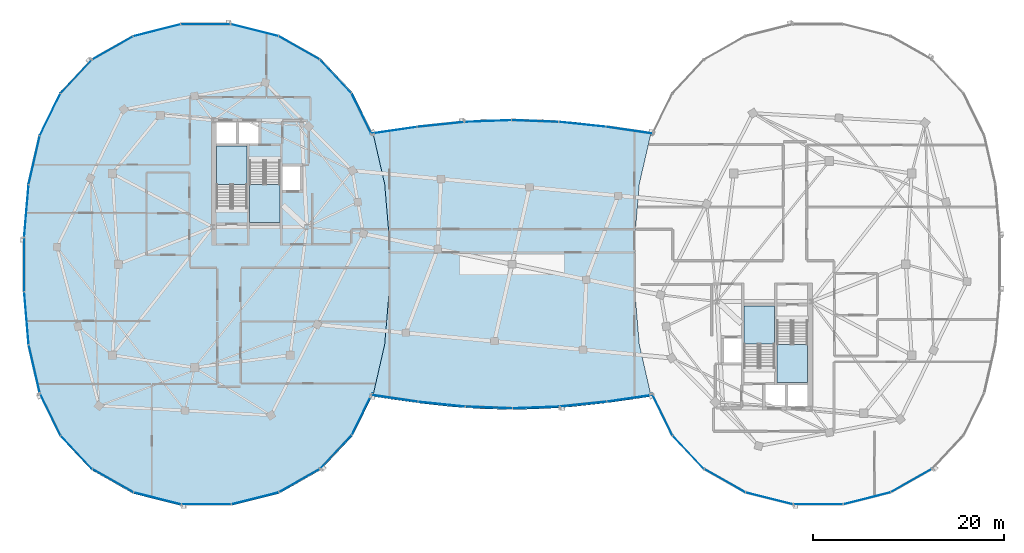
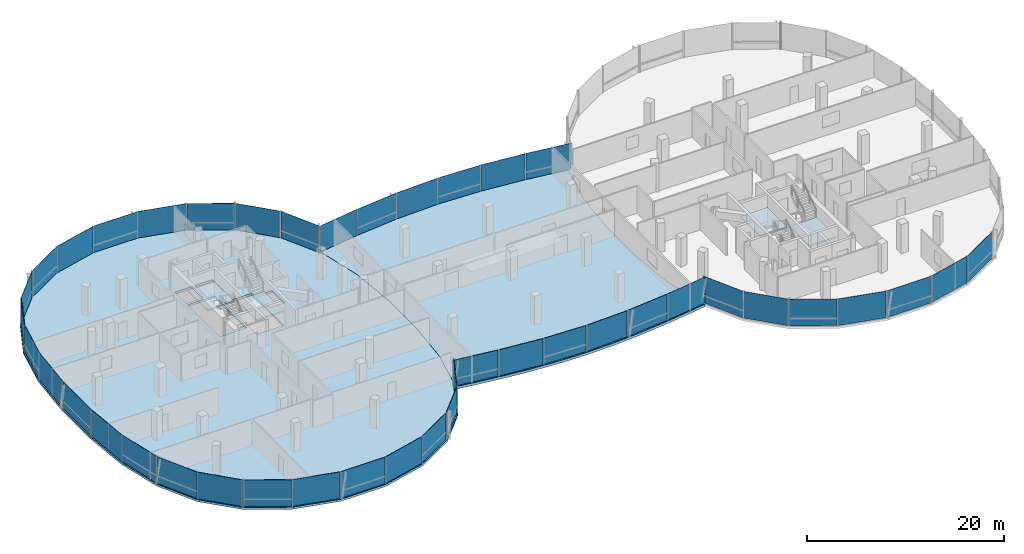
# One storey, part 12 of 26: 42 plates, 6 slabs, 11 elements without a shape of their own.
"""IFC4 building model written with IfcOpenShell, lengths in metres."""

import ifcopenshell
import ifcopenshell.guid

model = None  # the IFC model being written
_history = None  # IfcOwnerHistory: only IFC2X3 demands one
_inside = {}  # id of a spatial element -> (the spatial element, [elements in it])
_under = {}  # id of a project, library or spatial element -> (it, [spatial elements below it])
_declared = {}  # id of a project -> (the project, [libraries it declares])
_typed = {}  # id of a type object -> (the type object, [elements of that type])
_made_of = {}  # id of a material, layer set ... -> (it, [elements and type objects made of it])


def new_model(schema):
    """Start an empty IFC model of exactly this schema.

    Asked for "IFC4X3", IfcOpenShell would pick the latest addendum, in which some entities
    have other attributes; the version numbers below select the first issue.
    IFC2X3 requires an IfcOwnerHistory on every rooted entity: one is made here for all.
    """
    global model, _history
    if schema == "IFC4X3":
        model = ifcopenshell.file(schema_version=(4, 3, 0, 0))
    else:
        model = ifcopenshell.file(schema=schema)
    _inside.clear()
    _under.clear()
    _declared.clear()
    _typed.clear()
    _made_of.clear()
    _history = None
    if model.schema == "IFC2X3":
        org = make("IfcOrganization", Name="unknown")
        user = make(
            "IfcPersonAndOrganization",
            ThePerson=make("IfcPerson", FamilyName="unknown"),
            TheOrganization=org,
        )
        app = make(
            "IfcApplication",
            ApplicationDeveloper=org,
            Version="unknown",
            ApplicationFullName="unknown",
            ApplicationIdentifier="unknown",
        )
        _history = make(
            "IfcOwnerHistory",
            OwningUser=user,
            OwningApplication=app,
            ChangeAction="ADDED",
            CreationDate=0,
        )
    return model


def make(cls, **values):
    """One entity of the class cls with the attributes given. An attribute that is None is left unset."""
    return model.create_entity(
        cls, **{name: value for name, value in values.items() if value is not None}
    )


def rooted(cls, **values):
    """An entity with a GlobalId (a new one), such as an element, a storey or a relation."""
    return make(cls, GlobalId=ifcopenshell.guid.new(), OwnerHistory=_history, **values)


def si_unit(unit_type, name, prefix=None):
    """IfcSIUnit, for example si_unit("LENGTHUNIT", "METRE", prefix="MILLI")."""
    return make("IfcSIUnit", UnitType=unit_type, Prefix=prefix, Name=name)


def assignment(units):
    """IfcUnitAssignment: the units of a project."""
    return None if units is None else make("IfcUnitAssignment", Units=units)


def point(xyz):
    """IfcCartesianPoint."""
    return None if xyz is None else make("IfcCartesianPoint", Coordinates=xyz)


def direction(xyz):
    """IfcDirection."""
    return None if xyz is None else make("IfcDirection", DirectionRatios=xyz)


def frame(location, z_axis=None, x_axis=None):
    """IfcAxis2Placement3D, a coordinate frame: its origin and axes. An axis left out is left unset."""
    return make(
        "IfcAxis2Placement3D",
        Location=point(location),
        Axis=direction(z_axis),
        RefDirection=direction(x_axis),
    )


def frame_2d(location, x_axis=None):
    """IfcAxis2Placement2D, a coordinate frame in the plane: its origin and x axis."""
    return make(
        "IfcAxis2Placement2D", Location=point(location), RefDirection=direction(x_axis)
    )


def origin():
    """The frame at (0, 0, 0) with its axes left unset."""
    return frame((0.0, 0.0, 0.0))


def origin_2d():
    """The frame at (0, 0) in the plane with its x axis left unset."""
    return frame_2d((0.0, 0.0))


def place(relative_to, where):
    """IfcLocalPlacement: puts the frame where relative to a parent placement (None: the world)."""
    return make(
        "IfcLocalPlacement", PlacementRelTo=relative_to, RelativePlacement=where
    )


def context(
    kind, dimensions, precision=None, world=None, true_north=None, identifier=None
):
    """IfcGeometricRepresentationContext, for example the 3D "Model" context."""
    return make(
        "IfcGeometricRepresentationContext",
        ContextIdentifier=identifier,
        ContextType=kind,
        CoordinateSpaceDimension=dimensions,
        Precision=precision,
        WorldCoordinateSystem=world,
        TrueNorth=true_north,
    )


def subcontext(parent, identifier, kind, view, scale=None):
    """IfcGeometricRepresentationSubContext, for example "Body" below "Model"."""
    return make(
        "IfcGeometricRepresentationSubContext",
        ContextIdentifier=identifier,
        ContextType=kind,
        ParentContext=parent,
        TargetScale=scale,
        TargetView=view,
    )


def project(units=None, contexts=None):
    """IfcProject with its units and contexts."""
    return rooted(
        "IfcProject",
        Name="project",
        RepresentationContexts=contexts,
        UnitsInContext=assignment(units),
    )


def spatial(cls, under=None, at=None, **own):
    """A site, building, storey or space (cls), placed at a placement, below another one or the project."""
    s = rooted(cls, ObjectPlacement=at, **own)
    if under is not None:
        _under.setdefault(under.id(), (under, []))[1].append(s)
    return s


def polyline(points):
    """IfcPolyline through the points."""
    return make("IfcPolyline", Points=[point(p) for p in points])


def profile(cls, at=None, kind="AREA", **sizes):
    """A parametric profile (cls). Its sizes go by their IFC names, for example OverallWidth=200.0."""
    return make(cls, ProfileType=kind, Position=at, **sizes)


def rectangle(**sizes):
    """IfcRectangleProfileDef."""
    return profile("IfcRectangleProfileDef", **sizes)


def outline(outer, holes=None, kind="AREA"):
    """IfcArbitraryClosedProfileDef: a profile drawn as a closed curve; with holes, ...WithVoids."""
    if holes is None:
        return make("IfcArbitraryClosedProfileDef", ProfileType=kind, OuterCurve=outer)
    return make(
        "IfcArbitraryProfileDefWithVoids",
        ProfileType=kind,
        OuterCurve=outer,
        InnerCurves=holes,
    )


def extrude(swept, where, along, depth):
    """IfcExtrudedAreaSolid: the profile swept, set in the frame where, extruded along a direction by depth."""
    return make(
        "IfcExtrudedAreaSolid",
        SweptArea=swept,
        Position=where,
        ExtrudedDirection=direction(along),
        Depth=depth,
    )


def shape(context_of_items, identifier, shape_type, items):
    """IfcShapeRepresentation: the items that make up one representation, for example the "Body"."""
    return make(
        "IfcShapeRepresentation",
        ContextOfItems=context_of_items,
        RepresentationIdentifier=identifier,
        RepresentationType=shape_type,
        Items=items,
    )


def material(Name=None, Category=None):
    """IfcMaterial."""
    return make("IfcMaterial", Name=Name, Category=Category)


def layer(
    of_material, thickness, ventilated=None, Name=None, Category=None, Priority=None
):
    """IfcMaterialLayer: one layer of a wall or slab, of a material (None: an air gap)."""
    return make(
        "IfcMaterialLayer",
        Material=of_material,
        LayerThickness=thickness,
        IsVentilated=ventilated,
        Name=Name,
        Category=Category,
        Priority=Priority,
    )


def layer_set(layers, Name=None):
    """IfcMaterialLayerSet."""
    return make("IfcMaterialLayerSet", MaterialLayers=layers, LayerSetName=Name)


def made_of(thing, what):
    """Note that an element or type object is made of a material, layer set ...; save() writes the relation."""
    if what is not None:
        _made_of.setdefault(what.id(), (what, []))[1].append(thing)
    return thing


def type_object(cls, material=None, **own):
    """A type object (cls), such as IfcWallType, which elements share."""
    return made_of(rooted(cls, **own), material)


def element(
    cls,
    number,
    at=None,
    inside=None,
    cuts=None,
    type_object=None,
    material=None,
    context=None,
    identifier="Body",
    shape_type=None,
    held_by="IfcProductDefinitionShape",
    body=None,
    shapes=None,
    **own,
):
    """One element of the class cls, such as IfcWall. Its Tag is "e" and its number.

    at: its placement. inside: the storey or other place that contains it. cuts: it is an
    opening in that element (IfcRelVoidsElement). A single representation is given by context,
    identifier, shape_type and body (its items); several are given by shapes. held_by: the class
    of the entity that holds the representations. save() writes the other relations.
    """
    e = rooted(cls, Tag="e%d" % number, ObjectPlacement=at, **own)
    if body is not None:
        shapes = [shape(context, identifier, shape_type, body)]
    if shapes is not None:
        e.Representation = make(held_by, Representations=shapes)
    if inside is not None:
        _inside.setdefault(inside.id(), (inside, []))[1].append(e)
    if cuts is not None:
        rooted(
            "IfcRelVoidsElement", RelatingBuildingElement=cuts, RelatedOpeningElement=e
        )
    if type_object is not None:
        _typed.setdefault(type_object.id(), (type_object, []))[1].append(e)
    return made_of(e, material)


def aggregate(whole, parts):
    """IfcRelAggregates: a whole, such as a stair, and the parts it consists of."""
    return rooted("IfcRelAggregates", RelatingObject=whole, RelatedObjects=parts)


def save(model, path):
    """Write the relations noted so far, then the file.

    IfcRelAggregates (storeys below a building ...), IfcRelContainedInSpatialStructure (elements
    in a storey), IfcRelDefinesByType, IfcRelAssociatesMaterial and IfcRelDeclares: one each for
    every whole, place, type object, material and project.
    """
    for whole, parts in _under.values():
        aggregate(whole, parts)
    for where, things in _inside.values():
        rooted(
            "IfcRelContainedInSpatialStructure",
            RelatedElements=things,
            RelatingStructure=where,
        )
    for kind, things in _typed.values():
        rooted("IfcRelDefinesByType", RelatedObjects=things, RelatingType=kind)
    for what, things in _made_of.values():
        rooted("IfcRelAssociatesMaterial", RelatedObjects=things, RelatingMaterial=what)
    for by, libraries in _declared.values():
        rooted("IfcRelDeclares", RelatingContext=by, RelatedDefinitions=libraries)
    model.write(path)


model = new_model("IFC4")

# Units and contexts
model_context = context("Model", 3, precision=1e-05, world=origin(), true_north=direction((0.0, 1.0)))
body_context = subcontext(model_context, "Body", "Model", "MODEL_VIEW")
ifc_project = project(units=[si_unit("LENGTHUNIT", "METRE"), si_unit("AREAUNIT", "SQUARE_METRE"), si_unit("VOLUMEUNIT", "CUBIC_METRE"), si_unit("PLANEANGLEUNIT", "RADIAN"), si_unit("MASSUNIT", "GRAM", prefix="KILO"), si_unit("THERMODYNAMICTEMPERATUREUNIT", "KELVIN"), si_unit("POWERUNIT", "WATT")], contexts=[model_context])

# Site, building, storey
site_placement = place(None, origin())
site = spatial("IfcSite", under=ifc_project, at=site_placement, CompositionType="ELEMENT")
building_placement = place(site_placement, origin())
building = spatial("IfcBuilding", under=site, at=building_placement, Name="Cundina Bronze Exchange", CompositionType="ELEMENT")
storey_placement = place(building_placement, frame((0.0, 0.0, 243.199951171875)))
storey = spatial("IfcBuildingStorey", under=building, at=storey_placement, Name="L64", CompositionType="ELEMENT", Elevation=243.199951171875)

# Curtain wall, plates
ifc_material_1 = material(Name="Anodised Bronze Aluminium 6063-T6", Category="aluminium")
curtain_wall_type = type_object("IfcCurtainWallType", Name="CWS-SKG-BRG", PredefinedType="NOTDEFINED", material=ifc_material_1)
curtain_wall_1_placement = place(storey_placement, origin())
curtain_wall_1 = element("IfcCurtainWall", 1, at=curtain_wall_1_placement, inside=storey, type_object=curtain_wall_type, Name="L64 CW-06 Curtain Wall Run CWR-L64-W1", PredefinedType="NOTDEFINED")
ifc_material_2 = material(Name="Heat-Strengthened Solar-Control Bronze Safety Glass 28mm", Category="glass")
ifc_layer_1 = layer(ifc_material_2, 0.028076171875, Name="Heat-Strengthened Solar-Control Bronze Safety Glass 28mm", Category="glass")
ifc_layer_set_1 = layer_set([ifc_layer_1], Name="Heat-Strengthened Solar-Control Bronze Safety Glass 28mm")
plate_type_1 = type_object("IfcPlateType", Name="PLT-GLZ-VIS28", PredefinedType="CURTAIN_PANEL", material=ifc_layer_set_1)
plate_1_placement = place(storey_placement, frame((-18.431884765625, 19.64501953125, 0.02001953125), z_axis=(0.0, 0.0, 1.0), x_axis=(-0.684343512797, 0.72915976061, 0.0)))
plate_1 = element("IfcPlate", 2, at=plate_1_placement, type_object=plate_type_1, Name="CW-06 Glazed Panel 2", PredefinedType="CURTAIN_PANEL", context=body_context, shape_type="SweptSolid", body=[
    extrude(rectangle(XDim=4.773193359375, YDim=0.028076171875, at=origin_2d()), origin(), (0.0, 0.0, 1.0), 3.300048828125),
])
plate_2_placement = place(storey_placement, frame((-22.23828125, 22.6279296875, 0.02001953125), z_axis=(0.0, 0.0, 1.0), x_axis=(-0.869572506985, 0.493805280547, 0.0)))
plate_2 = element("IfcPlate", 3, at=plate_2_placement, type_object=plate_type_1, Name="CW-06 Glazed Panel 3", PredefinedType="CURTAIN_PANEL", context=body_context, shape_type="SweptSolid", body=[
    extrude(rectangle(XDim=4.907958984375, YDim=0.028076171875, at=origin_2d()), origin(), (0.0, 0.0, 1.0), 3.300048828125),
])
plate_3_placement = place(storey_placement, frame((-26.890625, 24.4814453125, 0.02001953125), z_axis=(0.0, 0.0, 1.0), x_axis=(-0.969731542251, 0.244173577528, 0.0)))
plate_3 = element("IfcPlate", 4, at=plate_3_placement, type_object=plate_type_1, Name="CW-06 Glazed Panel 4", PredefinedType="CURTAIN_PANEL", context=body_context, shape_type="SweptSolid", body=[
    extrude(rectangle(XDim=5.0908203125, YDim=0.028076171875, at=origin_2d()), origin(), (0.0, 0.0, 1.0), 3.300048828125),
])
plate_4_placement = place(storey_placement, frame((-32.0, 25.110107421875, 0.02001953125), z_axis=(0.0, 0.0, 1.0), x_axis=(-1.0, 0.0, 0.0)))
plate_4 = element("IfcPlate", 5, at=plate_4_placement, type_object=plate_type_1, Name="CW-06 Glazed Panel 5", PredefinedType="CURTAIN_PANEL", context=body_context, shape_type="SweptSolid", body=[
    extrude(rectangle(XDim=5.16796875, YDim=0.028076171875, at=origin_2d()), origin(), (0.0, 0.0, 1.0), 3.300048828125),
])
plate_5_placement = place(storey_placement, frame((-41.76171875, 22.6279296875, 0.02001953125), z_axis=(0.0, 0.0, 1.0), x_axis=(-0.869572506985, -0.493805280547, 0.0)))
plate_5 = element("IfcPlate", 6, at=plate_5_placement, type_object=plate_type_1, Name="CW-06 Glazed Panel 7", PredefinedType="CURTAIN_PANEL", context=body_context, shape_type="SweptSolid", body=[
    extrude(rectangle(XDim=4.907958984375, YDim=0.028076171875, at=origin_2d()), origin(), (0.0, 0.0, 1.0), 3.300048828125),
])

curtain_wall_2_placement = place(storey_placement, origin())
curtain_wall_2 = element("IfcCurtainWall", 7, at=curtain_wall_2_placement, inside=storey, type_object=curtain_wall_type, Name="L64 CW-06 Curtain Wall Run CWR-L64-W2", PredefinedType="NOTDEFINED")
plate_6_placement = place(storey_placement, frame((-45.568115234375, 19.64501953125, 0.02001953125), z_axis=(0.0, 0.0, 1.0), x_axis=(-0.684343512797, -0.72915976061, 0.0)))
plate_6 = element("IfcPlate", 8, at=plate_6_placement, type_object=plate_type_1, Name="CW-06 Glazed Panel 1", PredefinedType="CURTAIN_PANEL", context=body_context, shape_type="SweptSolid", body=[
    extrude(rectangle(XDim=4.773193359375, YDim=0.028076171875, at=origin_2d()), origin(), (0.0, 0.0, 1.0), 3.300048828125),
])
plate_7_placement = place(storey_placement, frame((-48.30126953125, 15.68017578125, 0.02001953125), z_axis=(0.0, 0.0, 1.0), x_axis=(-0.440503330345, -0.897750976582, 0.0)))
plate_7 = element("IfcPlate", 9, at=plate_7_placement, type_object=plate_type_1, Name="CW-06 Glazed Panel 2", PredefinedType="CURTAIN_PANEL", context=body_context, shape_type="SweptSolid", body=[
    extrude(rectangle(XDim=4.863525390625, YDim=0.028076171875, at=origin_2d()), origin(), (0.0, 0.0, 1.0), 3.300048828125),
])
plate_8_placement = place(storey_placement, frame((-49.96923828125, 10.922607421875, 0.02001953125), z_axis=(0.0, 0.0, 1.0), x_axis=(-0.223284141459, -0.974753400698, 0.0)))
plate_8 = element("IfcPlate", 10, at=plate_8_placement, type_object=plate_type_1, Name="CW-06 Glazed Panel 3", PredefinedType="CURTAIN_PANEL", context=body_context, shape_type="SweptSolid", body=[
    extrude(rectangle(XDim=5.167724609375, YDim=0.028076171875, at=origin_2d()), origin(), (0.0, 0.0, 1.0), 3.300048828125),
])
plate_9_placement = place(storey_placement, frame((-50.78662109375, 5.605712890625, 0.02001953125), z_axis=(0.0, 0.0, 1.0), x_axis=(-0.083747411454, -0.996487015006, 0.0)))
plate_9 = element("IfcPlate", 11, at=plate_9_placement, type_object=plate_type_1, Name="CW-06 Glazed Panel 4", PredefinedType="CURTAIN_PANEL", context=body_context, shape_type="SweptSolid", body=[
    extrude(rectangle(XDim=5.474609375, YDim=0.028076171875, at=origin_2d()), origin(), (0.0, 0.0, 1.0), 3.300048828125),
])
plate_10_placement = place(storey_placement, frame((-50.78662109375, -5.605712890625, 0.02001953125), z_axis=(0.0, 0.0, 1.0), x_axis=(0.083747411454, -0.996487015006, 0.0)))
plate_10 = element("IfcPlate", 12, at=plate_10_placement, type_object=plate_type_1, Name="CW-06 Glazed Panel 6", PredefinedType="CURTAIN_PANEL", context=body_context, shape_type="SweptSolid", body=[
    extrude(rectangle(XDim=5.474609375, YDim=0.028076171875, at=origin_2d()), origin(), (0.0, 0.0, 1.0), 3.300048828125),
])
plate_11_placement = place(storey_placement, frame((-49.96923828125, -10.922607421875, 0.02001953125), z_axis=(0.0, 0.0, 1.0), x_axis=(0.223284141459, -0.974753400698, 0.0)))
plate_11 = element("IfcPlate", 13, at=plate_11_placement, type_object=plate_type_1, Name="CW-06 Glazed Panel 7", PredefinedType="CURTAIN_PANEL", context=body_context, shape_type="SweptSolid", body=[
    extrude(rectangle(XDim=5.167724609375, YDim=0.028076171875, at=origin_2d()), origin(), (0.0, 0.0, 1.0), 3.300048828125),
])

curtain_wall_3_placement = place(storey_placement, origin())
curtain_wall_3 = element("IfcCurtainWall", 14, at=curtain_wall_3_placement, inside=storey, type_object=curtain_wall_type, Name="L64 CW-06 Curtain Wall Run CWR-L64-W3", PredefinedType="NOTDEFINED")
plate_12_placement = place(storey_placement, frame((-48.30126953125, -15.68017578125, 0.02001953125), z_axis=(0.0, 0.0, 1.0), x_axis=(0.440503330345, -0.897750976582, 0.0)))
plate_12 = element("IfcPlate", 15, at=plate_12_placement, type_object=plate_type_1, Name="CW-06 Glazed Panel 1", PredefinedType="CURTAIN_PANEL", context=body_context, shape_type="SweptSolid", body=[
    extrude(rectangle(XDim=4.863525390625, YDim=0.028076171875, at=origin_2d()), origin(), (0.0, 0.0, 1.0), 3.300048828125),
])
plate_13_placement = place(storey_placement, frame((-45.568115234375, -19.64501953125, 0.02001953125), z_axis=(0.0, 0.0, 1.0), x_axis=(0.684343512797, -0.72915976061, 0.0)))
plate_13 = element("IfcPlate", 16, at=plate_13_placement, type_object=plate_type_1, Name="CW-06 Glazed Panel 2", PredefinedType="CURTAIN_PANEL", context=body_context, shape_type="SweptSolid", body=[
    extrude(rectangle(XDim=4.773193359375, YDim=0.028076171875, at=origin_2d()), origin(), (0.0, 0.0, 1.0), 3.300048828125),
])
plate_14_placement = place(storey_placement, frame((-41.76171875, -22.6279296875, 0.02001953125), z_axis=(0.0, 0.0, 1.0), x_axis=(0.869572506985, -0.493805280547, 0.0)))
plate_14 = element("IfcPlate", 17, at=plate_14_placement, type_object=plate_type_1, Name="CW-06 Glazed Panel 3", PredefinedType="CURTAIN_PANEL", context=body_context, shape_type="SweptSolid", body=[
    extrude(rectangle(XDim=4.907958984375, YDim=0.028076171875, at=origin_2d()), origin(), (0.0, 0.0, 1.0), 3.300048828125),
])
plate_15_placement = place(storey_placement, frame((-32.0, -25.110107421875, 0.02001953125), z_axis=(0.0, 0.0, 1.0), x_axis=(1.0, 0.0, 0.0)))
plate_15 = element("IfcPlate", 18, at=plate_15_placement, type_object=plate_type_1, Name="CW-06 Glazed Panel 5", PredefinedType="CURTAIN_PANEL", context=body_context, shape_type="SweptSolid", body=[
    extrude(rectangle(XDim=5.16796875, YDim=0.028076171875, at=origin_2d()), origin(), (0.0, 0.0, 1.0), 3.300048828125),
])
plate_16_placement = place(storey_placement, frame((-26.890625, -24.4814453125, 0.02001953125), z_axis=(0.0, 0.0, 1.0), x_axis=(0.969731542251, 0.244173577528, 0.0)))
plate_16 = element("IfcPlate", 19, at=plate_16_placement, type_object=plate_type_1, Name="CW-06 Glazed Panel 6", PredefinedType="CURTAIN_PANEL", context=body_context, shape_type="SweptSolid", body=[
    extrude(rectangle(XDim=5.0908203125, YDim=0.028076171875, at=origin_2d()), origin(), (0.0, 0.0, 1.0), 3.300048828125),
])
plate_17_placement = place(storey_placement, frame((-22.23828125, -22.6279296875, 0.02001953125), z_axis=(0.0, 0.0, 1.0), x_axis=(0.869572506985, 0.493805280547, 0.0)))
plate_17 = element("IfcPlate", 20, at=plate_17_placement, type_object=plate_type_1, Name="CW-06 Glazed Panel 7", PredefinedType="CURTAIN_PANEL", context=body_context, shape_type="SweptSolid", body=[
    extrude(rectangle(XDim=4.907958984375, YDim=0.028076171875, at=origin_2d()), origin(), (0.0, 0.0, 1.0), 3.300048828125),
])

curtain_wall_4_placement = place(storey_placement, origin())
curtain_wall_4 = element("IfcCurtainWall", 21, at=curtain_wall_4_placement, inside=storey, type_object=curtain_wall_type, Name="L64 CW-06 Curtain Wall Run CWR-L64-W4", PredefinedType="NOTDEFINED")
plate_18_placement = place(storey_placement, frame((-18.431884765625, -19.64501953125, 0.02001953125), z_axis=(0.0, 0.0, 1.0), x_axis=(0.684343512797, 0.72915976061, 0.0)))
plate_18 = element("IfcPlate", 22, at=plate_18_placement, type_object=plate_type_1, Name="CW-06 Glazed Panel 1", PredefinedType="CURTAIN_PANEL", context=body_context, shape_type="SweptSolid", body=[
    extrude(rectangle(XDim=4.773193359375, YDim=0.028076171875, at=origin_2d()), origin(), (0.0, 0.0, 1.0), 3.300048828125),
])
plate_19_placement = place(storey_placement, frame((-15.69873046875, -15.68017578125, 0.02001953125), z_axis=(0.0, 0.0, 1.0), x_axis=(0.440503330345, 0.897750976582, 0.0)))
plate_19 = element("IfcPlate", 23, at=plate_19_placement, type_object=plate_type_1, Name="CW-06 Glazed Panel 2", PredefinedType="CURTAIN_PANEL", context=body_context, shape_type="SweptSolid", body=[
    extrude(rectangle(XDim=4.863525390625, YDim=0.028076171875, at=origin_2d()), origin(), (0.0, 0.0, 1.0), 3.300048828125),
])
aggregate(curtain_wall_4, [plate_18, plate_19])

curtain_wall_5_placement = place(storey_placement, origin())
curtain_wall_5 = element("IfcCurtainWall", 24, at=curtain_wall_5_placement, inside=storey, type_object=curtain_wall_type, Name="L64 CW-06 Curtain Wall Run CWR-L64-E3", PredefinedType="NOTDEFINED")
plate_20_placement = place(storey_placement, frame((15.69873046875, -15.68017578125, 0.02001953125), z_axis=(0.0, 0.0, 1.0), x_axis=(0.440503330345, -0.897750976582, 0.0)))
plate_20 = element("IfcPlate", 25, at=plate_20_placement, type_object=plate_type_1, Name="CW-06 Glazed Panel 1", PredefinedType="CURTAIN_PANEL", context=body_context, shape_type="SweptSolid", body=[
    extrude(rectangle(XDim=4.863525390625, YDim=0.028076171875, at=origin_2d()), origin(), (0.0, 0.0, 1.0), 3.300048828125),
])
plate_21_placement = place(storey_placement, frame((18.431884765625, -19.64501953125, 0.02001953125), z_axis=(0.0, 0.0, 1.0), x_axis=(0.684343512797, -0.72915976061, 0.0)))
plate_21 = element("IfcPlate", 26, at=plate_21_placement, type_object=plate_type_1, Name="CW-06 Glazed Panel 2", PredefinedType="CURTAIN_PANEL", context=body_context, shape_type="SweptSolid", body=[
    extrude(rectangle(XDim=4.773193359375, YDim=0.028076171875, at=origin_2d()), origin(), (0.0, 0.0, 1.0), 3.300048828125),
])
plate_22_placement = place(storey_placement, frame((22.23828125, -22.6279296875, 0.02001953125), z_axis=(0.0, 0.0, 1.0), x_axis=(0.869572506985, -0.493805280547, 0.0)))
plate_22 = element("IfcPlate", 27, at=plate_22_placement, type_object=plate_type_1, Name="CW-06 Glazed Panel 3", PredefinedType="CURTAIN_PANEL", context=body_context, shape_type="SweptSolid", body=[
    extrude(rectangle(XDim=4.907958984375, YDim=0.028076171875, at=origin_2d()), origin(), (0.0, 0.0, 1.0), 3.300048828125),
])
plate_23_placement = place(storey_placement, frame((32.0, -25.110107421875, 0.02001953125), z_axis=(0.0, 0.0, 1.0), x_axis=(1.0, 0.0, 0.0)))
plate_23 = element("IfcPlate", 28, at=plate_23_placement, type_object=plate_type_1, Name="CW-06 Glazed Panel 5", PredefinedType="CURTAIN_PANEL", context=body_context, shape_type="SweptSolid", body=[
    extrude(rectangle(XDim=5.16796875, YDim=0.028076171875, at=origin_2d()), origin(), (0.0, 0.0, 1.0), 3.300048828125),
])
plate_24_placement = place(storey_placement, frame((37.109375, -24.4814453125, 0.02001953125), z_axis=(0.0, 0.0, 1.0), x_axis=(0.969731542251, 0.244173577528, 0.0)))
plate_24 = element("IfcPlate", 29, at=plate_24_placement, type_object=plate_type_1, Name="CW-06 Glazed Panel 6", PredefinedType="CURTAIN_PANEL", context=body_context, shape_type="SweptSolid", body=[
    extrude(rectangle(XDim=5.0908203125, YDim=0.028076171875, at=origin_2d()), origin(), (0.0, 0.0, 1.0), 3.300048828125),
])
plate_25_placement = place(storey_placement, frame((41.76171875, -22.6279296875, 0.02001953125), z_axis=(0.0, 0.0, 1.0), x_axis=(0.869572506985, 0.493805280547, 0.0)))
plate_25 = element("IfcPlate", 30, at=plate_25_placement, type_object=plate_type_1, Name="CW-06 Glazed Panel 7", PredefinedType="CURTAIN_PANEL", context=body_context, shape_type="SweptSolid", body=[
    extrude(rectangle(XDim=4.907958984375, YDim=0.028076171875, at=origin_2d()), origin(), (0.0, 0.0, 1.0), 3.300048828125),
])

curtain_wall_6_placement = place(storey_placement, origin())
curtain_wall_6 = element("IfcCurtainWall", 31, at=curtain_wall_6_placement, inside=storey, type_object=curtain_wall_type, Name="L64 CW-06 Curtain Wall Run CWR-L64-BRGS", PredefinedType="NOTDEFINED")
plate_26_placement = place(storey_placement, frame((-12.356201171875, -14.012451171875, 0.02001953125), z_axis=(0.0, 0.0, 1.0), x_axis=(0.989528308409, -0.144338930496, 0.0)))
plate_26 = element("IfcPlate", 32, at=plate_26_placement, type_object=plate_type_1, Name="CW-06 Glazed Panel 1", PredefinedType="CURTAIN_PANEL", context=body_context, shape_type="SweptSolid", body=[
    extrude(rectangle(XDim=4.912353515625, YDim=0.028076171875, at=origin_2d()), origin(), (0.0, 0.0, 1.0), 3.239990234375),
])
plate_27_placement = place(storey_placement, frame((-2.47021484375, -14.9775390625, 0.02001953125), z_axis=(0.0, 0.0, 1.0), x_axis=(0.999302568116, -0.037341362551, 0.0)))
plate_27 = element("IfcPlate", 33, at=plate_27_placement, type_object=plate_type_1, Name="CW-06 Glazed Panel 3", PredefinedType="CURTAIN_PANEL", context=body_context, shape_type="SweptSolid", body=[
    extrude(rectangle(XDim=4.863525390625, YDim=0.028076171875, at=origin_2d()), origin(), (0.0, 0.0, 1.0), 3.239990234375),
])
plate_28_placement = place(storey_placement, frame((2.47021484375, -14.9775390625, 0.02001953125), z_axis=(0.0, 0.0, 1.0), x_axis=(0.999302568116, 0.037341362551, 0.0)))
plate_28 = element("IfcPlate", 34, at=plate_28_placement, type_object=plate_type_1, Name="CW-06 Glazed Panel 4", PredefinedType="CURTAIN_PANEL", context=body_context, shape_type="SweptSolid", body=[
    extrude(rectangle(XDim=4.863525390625, YDim=0.028076171875, at=origin_2d()), origin(), (0.0, 0.0, 1.0), 3.239990234375),
])
plate_29_placement = place(storey_placement, frame((7.41162109375, -14.629150390625, 0.02001953125), z_axis=(0.0, 0.0, 1.0), x_axis=(0.994672274174, 0.103087666525, 0.0)))
plate_29 = element("IfcPlate", 35, at=plate_29_placement, type_object=plate_type_1, Name="CW-06 Glazed Panel 5", PredefinedType="CURTAIN_PANEL", context=body_context, shape_type="SweptSolid", body=[
    extrude(rectangle(XDim=4.886474609375, YDim=0.028076171875, at=origin_2d()), origin(), (0.0, 0.0, 1.0), 3.239990234375),
])
plate_30_placement = place(storey_placement, frame((12.356201171875, -14.012451171875, 0.02001953125), z_axis=(0.0, 0.0, 1.0), x_axis=(0.989528308409, 0.144338930496, 0.0)))
plate_30 = element("IfcPlate", 36, at=plate_30_placement, type_object=plate_type_1, Name="CW-06 Glazed Panel 6", PredefinedType="CURTAIN_PANEL", context=body_context, shape_type="SweptSolid", body=[
    extrude(rectangle(XDim=4.912353515625, YDim=0.028076171875, at=origin_2d()), origin(), (0.0, 0.0, 1.0), 3.239990234375),
])

curtain_wall_7_placement = place(storey_placement, origin())
curtain_wall_7 = element("IfcCurtainWall", 37, at=curtain_wall_7_placement, inside=storey, type_object=curtain_wall_type, Name="L64 CW-06 Curtain Wall Run CWR-L64-BRGN", PredefinedType="NOTDEFINED")
plate_31_placement = place(storey_placement, frame((12.356201171875, 14.012451171875, 0.02001953125), z_axis=(0.0, 0.0, 1.0), x_axis=(-0.989528308409, 0.144338930496, 0.0)))
plate_31 = element("IfcPlate", 38, at=plate_31_placement, type_object=plate_type_1, Name="CW-06 Glazed Panel 1", PredefinedType="CURTAIN_PANEL", context=body_context, shape_type="SweptSolid", body=[
    extrude(rectangle(XDim=4.912353515625, YDim=0.028076171875, at=origin_2d()), origin(), (0.0, 0.0, 1.0), 3.239990234375),
])
plate_32_placement = place(storey_placement, frame((7.41162109375, 14.629150390625, 0.02001953125), z_axis=(0.0, 0.0, 1.0), x_axis=(-0.994672274174, 0.103087666525, 0.0)))
plate_32 = element("IfcPlate", 39, at=plate_32_placement, type_object=plate_type_1, Name="CW-06 Glazed Panel 2", PredefinedType="CURTAIN_PANEL", context=body_context, shape_type="SweptSolid", body=[
    extrude(rectangle(XDim=4.886474609375, YDim=0.028076171875, at=origin_2d()), origin(), (0.0, 0.0, 1.0), 3.239990234375),
])
plate_33_placement = place(storey_placement, frame((2.47021484375, 14.9775390625, 0.02001953125), z_axis=(0.0, 0.0, 1.0), x_axis=(-0.999302568116, 0.037341362551, 0.0)))
plate_33 = element("IfcPlate", 40, at=plate_33_placement, type_object=plate_type_1, Name="CW-06 Glazed Panel 3", PredefinedType="CURTAIN_PANEL", context=body_context, shape_type="SweptSolid", body=[
    extrude(rectangle(XDim=4.863525390625, YDim=0.028076171875, at=origin_2d()), origin(), (0.0, 0.0, 1.0), 3.239990234375),
])
plate_34_placement = place(storey_placement, frame((-7.41162109375, 14.629150390625, 0.02001953125), z_axis=(0.0, 0.0, 1.0), x_axis=(-0.994672274174, -0.103087666525, 0.0)))
plate_34 = element("IfcPlate", 41, at=plate_34_placement, type_object=plate_type_1, Name="CW-06 Glazed Panel 5", PredefinedType="CURTAIN_PANEL", context=body_context, shape_type="SweptSolid", body=[
    extrude(rectangle(XDim=4.886474609375, YDim=0.028076171875, at=origin_2d()), origin(), (0.0, 0.0, 1.0), 3.239990234375),
])
plate_35_placement = place(storey_placement, frame((-12.356201171875, 14.012451171875, 0.02001953125), z_axis=(0.0, 0.0, 1.0), x_axis=(-0.989528308409, -0.144338930496, 0.0)))
plate_35 = element("IfcPlate", 42, at=plate_35_placement, type_object=plate_type_1, Name="CW-06 Glazed Panel 6", PredefinedType="CURTAIN_PANEL", context=body_context, shape_type="SweptSolid", body=[
    extrude(rectangle(XDim=4.912353515625, YDim=0.028076171875, at=origin_2d()), origin(), (0.0, 0.0, 1.0), 3.239990234375),
])

# Plate
ifc_material_3 = material(Name="Dark Bronze Spandrel Glass Panel 32mm", Category="glass")
ifc_layer_2 = layer(ifc_material_3, 0.031982421875, Name="Dark Bronze Spandrel Glass Panel 32mm", Category="glass")
ifc_layer_set_2 = layer_set([ifc_layer_2], Name="Dark Bronze Spandrel Glass Panel 32mm")
plate_type_2 = type_object("IfcPlateType", Name="PLT-SPN-BRZ32", PredefinedType="CURTAIN_PANEL", material=ifc_layer_set_2)
plate_36_placement = place(storey_placement, frame((-15.69873046875, 15.68017578125, 0.02001953125), z_axis=(0.0, 0.0, 1.0), x_axis=(-0.440503330345, 0.897750976582, 0.0)))
plate_36 = element("IfcPlate", 43, at=plate_36_placement, type_object=plate_type_2, Name="CW-06 Glazed Panel 1", PredefinedType="CURTAIN_PANEL", context=body_context, shape_type="SweptSolid", body=[
    extrude(rectangle(XDim=4.863525390625, YDim=0.031982421875, at=origin_2d()), origin(), (0.0, 0.0, 1.0), 3.300048828125),
])

plate_37_placement = place(storey_placement, frame((-37.109375, 24.4814453125, 0.02001953125), z_axis=(0.0, 0.0, 1.0), x_axis=(-0.969731542251, -0.244173577528, 0.0)))
plate_37 = element("IfcPlate", 44, at=plate_37_placement, type_object=plate_type_2, Name="CW-06 Glazed Panel 6", PredefinedType="CURTAIN_PANEL", context=body_context, shape_type="SweptSolid", body=[
    extrude(rectangle(XDim=5.0908203125, YDim=0.031982421875, at=origin_2d()), origin(), (0.0, 0.0, 1.0), 3.300048828125),
])

aggregate(curtain_wall_1, [plate_36, plate_1, plate_2, plate_3, plate_4, plate_37, plate_5])

plate_38_placement = place(storey_placement, frame((-51.01904296875, 0.0, 0.02001953125), z_axis=(0.0, 0.0, 1.0), x_axis=(0.0, -1.0, 0.0)))
plate_38 = element("IfcPlate", 45, at=plate_38_placement, type_object=plate_type_2, Name="CW-06 Glazed Panel 5", PredefinedType="CURTAIN_PANEL", context=body_context, shape_type="SweptSolid", body=[
    extrude(rectangle(XDim=5.597900390625, YDim=0.031982421875, at=origin_2d()), origin(), (0.0, 0.0, 1.0), 3.300048828125),
])

aggregate(curtain_wall_2, [plate_6, plate_7, plate_8, plate_9, plate_38, plate_10, plate_11])

plate_39_placement = place(storey_placement, frame((-37.109375, -24.4814453125, 0.02001953125), z_axis=(0.0, 0.0, 1.0), x_axis=(0.969731542251, -0.244173577528, 0.0)))
plate_39 = element("IfcPlate", 46, at=plate_39_placement, type_object=plate_type_2, Name="CW-06 Glazed Panel 4", PredefinedType="CURTAIN_PANEL", context=body_context, shape_type="SweptSolid", body=[
    extrude(rectangle(XDim=5.0908203125, YDim=0.031982421875, at=origin_2d()), origin(), (0.0, 0.0, 1.0), 3.300048828125),
])

aggregate(curtain_wall_3, [plate_12, plate_13, plate_14, plate_39, plate_15, plate_16, plate_17])

plate_40_placement = place(storey_placement, frame((26.890625, -24.4814453125, 0.02001953125), z_axis=(0.0, 0.0, 1.0), x_axis=(0.969731542251, -0.244173577528, 0.0)))
plate_40 = element("IfcPlate", 47, at=plate_40_placement, type_object=plate_type_2, Name="CW-06 Glazed Panel 4", PredefinedType="CURTAIN_PANEL", context=body_context, shape_type="SweptSolid", body=[
    extrude(rectangle(XDim=5.0908203125, YDim=0.031982421875, at=origin_2d()), origin(), (0.0, 0.0, 1.0), 3.300048828125),
])

aggregate(curtain_wall_5, [plate_20, plate_21, plate_22, plate_40, plate_23, plate_24, plate_25])

plate_41_placement = place(storey_placement, frame((-7.41162109375, -14.629150390625, 0.02001953125), z_axis=(0.0, 0.0, 1.0), x_axis=(0.994672274174, -0.103087666525, 0.0)))
plate_41 = element("IfcPlate", 48, at=plate_41_placement, type_object=plate_type_2, Name="CW-06 Glazed Panel 2", PredefinedType="CURTAIN_PANEL", context=body_context, shape_type="SweptSolid", body=[
    extrude(rectangle(XDim=4.886474609375, YDim=0.031982421875, at=origin_2d()), origin(), (0.0, 0.0, 1.0), 3.239990234375),
])

aggregate(curtain_wall_6, [plate_26, plate_41, plate_27, plate_28, plate_29, plate_30])

plate_42_placement = place(storey_placement, frame((-2.47021484375, 14.9775390625, 0.02001953125), z_axis=(0.0, 0.0, 1.0), x_axis=(-0.999302568116, -0.037341362551, 0.0)))
plate_42 = element("IfcPlate", 49, at=plate_42_placement, type_object=plate_type_2, Name="CW-06 Glazed Panel 4", PredefinedType="CURTAIN_PANEL", context=body_context, shape_type="SweptSolid", body=[
    extrude(rectangle(XDim=4.863525390625, YDim=0.031982421875, at=origin_2d()), origin(), (0.0, 0.0, 1.0), 3.239990234375),
])

aggregate(curtain_wall_7, [plate_31, plate_32, plate_33, plate_42, plate_34, plate_35])

# Slab
ifc_material_4 = material(Name="Concrete C50/60", Category="concrete")
ifc_layer_3 = layer(ifc_material_4, 0.320068359375, Name="Concrete C50/60", Category="concrete")
ifc_layer_set_3 = layer_set([ifc_layer_3], Name="Concrete C50/60")
slab_type_1 = type_object("IfcSlabType", Name="SLB-BRG-320", PredefinedType="FLOOR", material=ifc_layer_set_3)
slab_1_placement = place(storey_placement, frame((0.0, 0.0, -0.320068359375)))
element("IfcSlab", 50, at=slab_1_placement, inside=storey, type_object=slab_type_1, Name="L64 Sky-Gate Bridge Deck Slab", PredefinedType="FLOOR", context=body_context, shape_type="SweptSolid", body=[
    extrude(outline(polyline([(12.800048828125, -14.093994140625), (9.60009765625, -14.5400390625), (6.39990234375, -14.89404296875), (3.199951171875, -15.1220703125), (0.0, -15.199951171875), (-3.199951171875, -15.1220703125), (-6.39990234375, -14.89404296875), (-9.60009765625, -14.5400390625), (-12.800048828125, -14.093994140625), (-14.634033203125, -13.81103515625), (-14.489013671875, -13.514892578125), (-14.489013671875, -13.514892578125), (-14.489013671875, -13.513916015625), (-13.31494140625, -8.388916015625), (-13.31494140625, -8.388916015625), (-12.84912109375, -2.843994140625), (-12.84912109375, -2.843994140625), (-12.84912109375, 2.843994140625), (-12.84912109375, 2.843994140625), (-13.31494140625, 8.388916015625), (-13.31494140625, 8.388916015625), (-14.489013671875, 13.513916015625), (-14.489013671875, 13.514892578125), (-14.489013671875, 13.514892578125), (-14.634033203125, 13.81103515625), (-12.800048828125, 14.093994140625), (-9.60009765625, 14.5400390625), (-6.39990234375, 14.89404296875), (-3.199951171875, 15.1220703125), (0.0, 15.199951171875), (3.199951171875, 15.1220703125), (6.39990234375, 14.89404296875), (9.60009765625, 14.5400390625), (12.800048828125, 14.093994140625), (14.634033203125, 13.81103515625), (14.489013671875, 13.514892578125), (14.489013671875, 13.514892578125), (14.489013671875, 13.513916015625), (13.31494140625, 8.388916015625), (13.31494140625, 8.388916015625), (12.84912109375, 2.843994140625), (12.84912109375, 2.843994140625), (12.84912109375, -2.843994140625), (12.84912109375, -2.843994140625), (13.31494140625, -8.388916015625), (13.31494140625, -8.388916015625), (14.489013671875, -13.513916015625), (14.489013671875, -13.514892578125), (14.489013671875, -13.514892578125), (14.634033203125, -13.81103515625), (12.800048828125, -14.093994140625)])), origin(), (0.0, 0.0, 1.0), 0.320068359375),
])

# Stair, slab
ifc_material_5 = material(Name="Concrete C40/50", Category="concrete")
stair_type = type_object("IfcStairType", Name="STR-OFF-360", PredefinedType="HALF_TURN_STAIR", material=ifc_material_5)
stair_1_placement = place(storey_placement, origin())
stair_1 = element("IfcStair", 51, at=stair_1_placement, inside=storey, type_object=stair_type, Name="L64 Smokeproof Exit Stair W1", PredefinedType="HALF_TURN_STAIR")
ifc_layer_4 = layer(ifc_material_5, 0.199951171875, Name="Concrete C40/50", Category="concrete")
ifc_layer_set_4 = layer_set([ifc_layer_4], Name="Concrete C40/50")
slab_type_2 = type_object("IfcSlabType", Name="SLB-LND-200", PredefinedType="LANDING", material=ifc_layer_set_4)
slab_2_placement = place(storey_placement, frame((0.0, 0.0, 1.60009765625)))
slab_2 = element("IfcSlab", 52, at=slab_2_placement, type_object=slab_type_2, Name="ST-W1 landing 1", PredefinedType="LANDING", context=body_context, shape_type="SweptSolid", body=[
    extrude(outline(polyline([(-27.739990234375, 8.3701171875), (-27.739990234375, 12.35009765625), (-30.89990234375, 12.35009765625), (-30.89990234375, 8.3701171875), (-27.739990234375, 8.3701171875)])), origin(), (0.0, 0.0, 1.0), 0.199951171875),
])
aggregate(stair_1, [slab_2])

stair_2_placement = place(storey_placement, origin())
stair_2 = element("IfcStair", 53, at=stair_2_placement, inside=storey, type_object=stair_type, Name="L64 Smokeproof Exit Stair W2", PredefinedType="HALF_TURN_STAIR")
slab_3_placement = place(storey_placement, frame((0.0, 0.0, 1.60009765625)))
slab_3 = element("IfcSlab", 54, at=slab_3_placement, type_object=slab_type_2, Name="ST-W2 landing 1", PredefinedType="LANDING", context=body_context, shape_type="SweptSolid", body=[
    extrude(outline(polyline([(-27.43994140625, 8.330078125), (-27.43994140625, 4.35009765625), (-24.280029296875, 4.35009765625), (-24.280029296875, 8.330078125), (-27.43994140625, 8.330078125)])), origin(), (0.0, 0.0, 1.0), 0.199951171875),
])
aggregate(stair_2, [slab_3])

stair_3_placement = place(storey_placement, origin())
stair_3 = element("IfcStair", 55, at=stair_3_placement, inside=storey, type_object=stair_type, Name="L64 Smokeproof Exit Stair E1", PredefinedType="HALF_TURN_STAIR")
slab_4_placement = place(storey_placement, frame((0.0, 0.0, 1.60009765625)))
slab_4 = element("IfcSlab", 56, at=slab_4_placement, type_object=slab_type_2, Name="ST-E1 landing 1", PredefinedType="LANDING", context=body_context, shape_type="SweptSolid", body=[
    extrude(outline(polyline([(27.739990234375, -8.3701171875), (27.739990234375, -12.35009765625), (30.89990234375, -12.35009765625), (30.89990234375, -8.3701171875), (27.739990234375, -8.3701171875)])), origin(), (0.0, 0.0, 1.0), 0.199951171875),
])
aggregate(stair_3, [slab_4])

stair_4_placement = place(storey_placement, origin())
stair_4 = element("IfcStair", 57, at=stair_4_placement, inside=storey, type_object=stair_type, Name="L64 Smokeproof Exit Stair E2", PredefinedType="HALF_TURN_STAIR")
slab_5_placement = place(storey_placement, frame((0.0, 0.0, 1.60009765625)))
slab_5 = element("IfcSlab", 58, at=slab_5_placement, type_object=slab_type_2, Name="ST-E2 landing 1", PredefinedType="LANDING", context=body_context, shape_type="SweptSolid", body=[
    extrude(outline(polyline([(27.43994140625, -8.330078125), (27.43994140625, -4.35009765625), (24.280029296875, -4.35009765625), (24.280029296875, -8.330078125), (27.43994140625, -8.330078125)])), origin(), (0.0, 0.0, 1.0), 0.199951171875),
])
aggregate(stair_4, [slab_5])

# Slab
ifc_layer_5 = layer(ifc_material_4, 0.260009765625, Name="Concrete C50/60", Category="concrete")
ifc_layer_set_5 = layer_set([ifc_layer_5], Name="Concrete C50/60")
slab_type_3 = type_object("IfcSlabType", Name="SLB-OFF-260", PredefinedType="FLOOR", material=ifc_layer_set_5)
slab_6_placement = place(storey_placement, frame((0.0, 0.0, -0.260009765625)))
element("IfcSlab", 59, at=slab_6_placement, inside=storey, type_object=slab_type_3, Name="L64 Leg W Structural Floor Slab", PredefinedType="FLOOR", context=body_context, shape_type="SweptSolid", body=[
    extrude(outline(polyline([(-12.85107421875, 2.843994140625), (-13.31689453125, 8.388916015625), (-14.490966796875, 13.513916015625), (-16.673095703125, 17.9609375), (-20.0009765625, 21.507080078125), (-24.346923828125, 23.97509765625), (-29.37109375, 25.239990234375), (-34.62890625, 25.239990234375), (-39.653076171875, 23.97509765625), (-43.9990234375, 21.507080078125), (-47.326904296875, 17.9609375), (-49.509033203125, 13.513916015625), (-50.68310546875, 8.388916015625), (-51.14892578125, 2.843994140625), (-51.14892578125, -2.843994140625), (-50.68310546875, -8.388916015625), (-49.509033203125, -13.513916015625), (-47.326904296875, -17.9609375), (-43.9990234375, -21.507080078125), (-39.653076171875, -23.97509765625), (-34.62890625, -25.239990234375), (-29.37109375, -25.239990234375), (-24.346923828125, -23.97509765625), (-20.0009765625, -21.507080078125), (-16.673095703125, -17.9609375), (-14.490966796875, -13.513916015625), (-13.31689453125, -8.388916015625), (-12.85107421875, -2.843994140625), (-12.85107421875, 2.843994140625)]), holes=[polyline([(-27.739990234375, 5.85009765625), (-27.739990234375, 12.35009765625), (-30.89990234375, 12.35009765625), (-30.89990234375, 5.85009765625), (-27.739990234375, 5.85009765625)]), polyline([(-27.43994140625, 10.85009765625), (-27.43994140625, 4.35009765625), (-24.280029296875, 4.35009765625), (-24.280029296875, 10.85009765625), (-27.43994140625, 10.85009765625)]), polyline([(-23.97998046875, 10.25), (-22.179931640625, 10.25), (-22.179931640625, 7.75), (-23.97998046875, 7.75), (-23.97998046875, 10.25)]), polyline([(-30.89990234375, 14.949951171875), (-28.85009765625, 14.949951171875), (-28.85009765625, 12.64990234375), (-30.89990234375, 12.64990234375), (-30.89990234375, 14.949951171875)]), polyline([(-28.550048828125, 14.949951171875), (-26.5, 14.949951171875), (-26.5, 12.64990234375), (-28.550048828125, 12.64990234375), (-28.550048828125, 14.949951171875)])]), origin(), (0.0, 0.0, 1.0), 0.260009765625),
])

save(model, "model.ifc")
